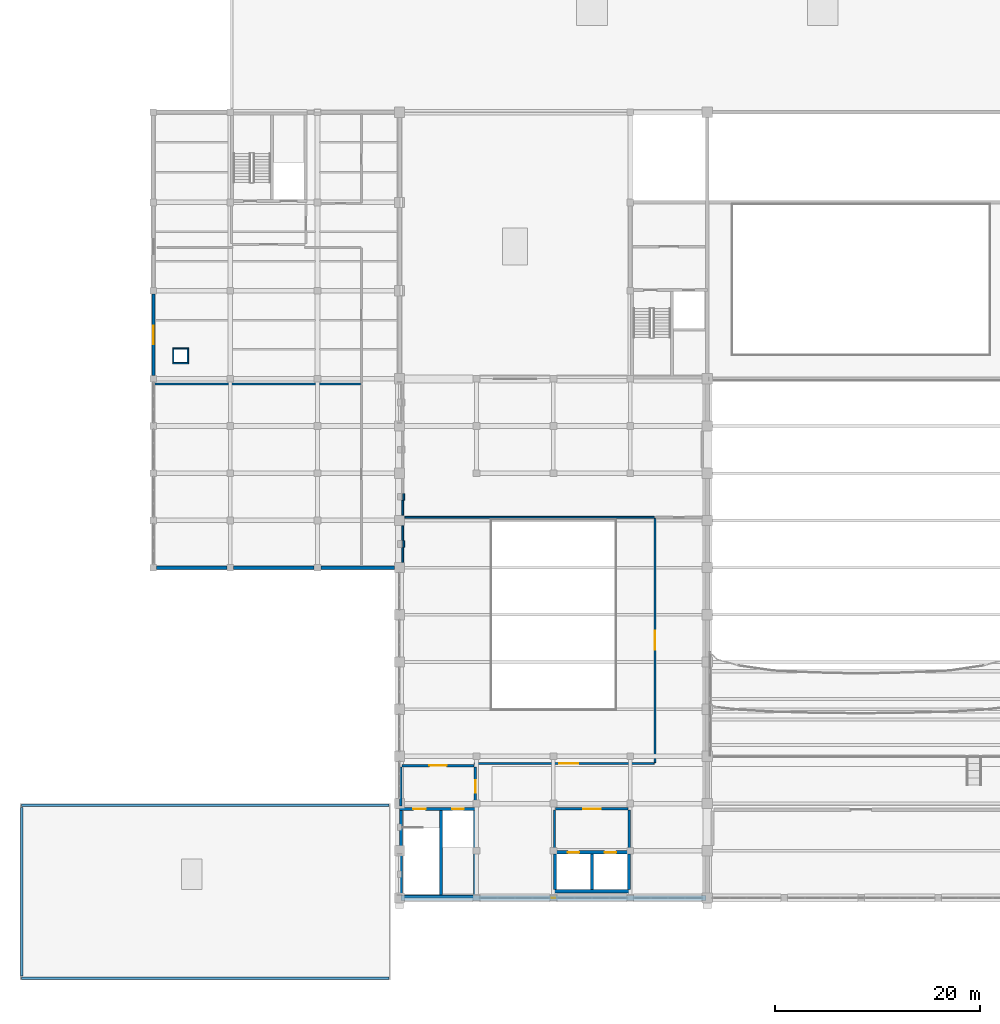
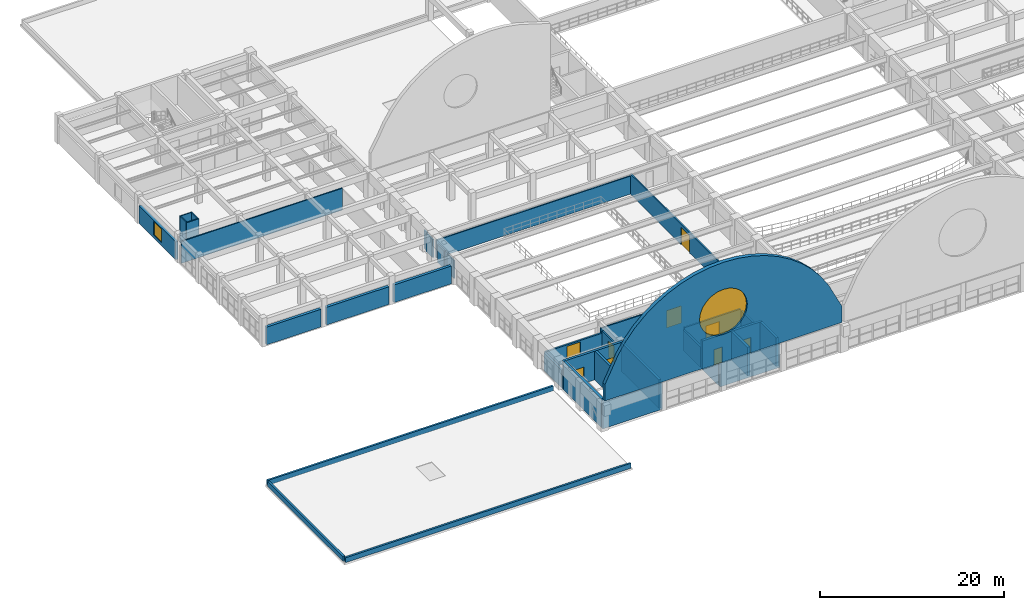
# One storey, part 55 of 74: 37 walls, 9 doors, 2 windows, 11 openings.
"""IFC4 building model written with IfcOpenShell, lengths in metres."""

from ifc_helpers import new_model, si_unit, direction, frame, frame_2d, origin, place, context, subcontext, project, spatial, polyline, rectangle, outline, extrude, material, layer, layer_set, type_object, element, fill, save


model = new_model("IFC4")

# Units and contexts
model_context = context("Model", 3, precision=1e-05, world=origin(), true_north=direction((0.0, 1.0)))
body_context = subcontext(model_context, "Body", "Model", "MODEL_VIEW")
ifc_project = project(units=[si_unit("LENGTHUNIT", "METRE"), si_unit("AREAUNIT", "SQUARE_METRE"), si_unit("VOLUMEUNIT", "CUBIC_METRE"), si_unit("PLANEANGLEUNIT", "RADIAN"), si_unit("MASSUNIT", "GRAM", prefix="KILO")], contexts=[model_context])

# Site, building, storey
site_placement = place(None, origin())
site = spatial("IfcSite", under=ifc_project, at=site_placement, CompositionType="ELEMENT")
building_placement = place(site_placement, origin())
building = spatial("IfcBuilding", under=site, at=building_placement, Name="Muzn Square Opera House", CompositionType="ELEMENT")
storey_placement = place(building_placement, frame((0.0, 0.0, 14.199951171875)))
storey = spatial("IfcBuildingStorey", under=building, at=storey_placement, Name="L03", CompositionType="ELEMENT", Elevation=14.199951171875)

# Walls
ifc_material_1 = material(Name="Concrete C45/55", Category="concrete")
ifc_layer_1 = layer(ifc_material_1, 0.300048828125, Name="Concrete C45/55", Category="concrete")
ifc_layer_set_1 = layer_set([ifc_layer_1], Name="Concrete C45/55")
wall_type_1 = type_object("IfcWallType", Name="Core Shear Wall 300mm", PredefinedType="SHEAR", material=ifc_layer_set_1)
wall_1_placement = place(storey_placement, frame((43.0, 22.14990234375, 0.0), z_axis=(0.0, 0.0, 1.0), x_axis=(1.0, 0.0, 0.0)))
element("IfcWall", 1, at=wall_1_placement, inside=storey, type_object=wall_type_1, Name="Core C3 Shear Wall SW-C3-L03-S", PredefinedType="SHEAR", context=body_context, shape_type="SweptSolid", body=[
    extrude(rectangle(XDim=7.5, YDim=0.300048828125, at=frame_2d((3.75, 0.0))), origin(), (0.0, 0.0, 1.0), 3.800048828125),
])
for number, where, z_axis, x_axis, name in (
    (2, (43.14990234375, 22.300048828125, 0.0), (0.0, 0.0, 1.0), (0.0, 1.0, 0.0), "Core C3 Shear Wall SW-C3-L03-W"),
    (3, (50.35009765625, 22.300048828125, 0.0), (0.0, 0.0, 1.0), (0.0, 1.0, 0.0), "Core C3 Shear Wall SW-C3-L03-E"),
    (4, (47.050048828125, 22.300048828125, 0.0), (0.0, 0.0, 1.0), (0.0, 1.0, 0.0), "Core C3 Shear Wall SW-C3-L03-DIV"),
):
    element("IfcWall", number, at=place(storey_placement, frame(where, z_axis=z_axis, x_axis=x_axis)), inside=storey, type_object=wall_type_1, Name=name, PredefinedType="SHEAR", context=body_context, shape_type="SweptSolid", body=[
        extrude(rectangle(XDim=8.199951171875, YDim=0.300048828125, at=frame_2d((4.10009765625, 0.0))), origin(), (0.0, 0.0, 1.0), 3.800048828125),
    ])
wall_2_placement = place(storey_placement, frame((58.0, 22.64990234375, 0.0), z_axis=(0.0, 0.0, 1.0), x_axis=(1.0, 0.0, 0.0)))
element("IfcWall", 5, at=wall_2_placement, inside=storey, type_object=wall_type_1, Name="Lift Bank LBW Shear Wall SW-LBW-L03-S", PredefinedType="SHEAR", context=body_context, shape_type="SweptSolid", body=[
    extrude(rectangle(XDim=7.5, YDim=0.300048828125, at=frame_2d((3.75, 0.0))), origin(), (0.0, 0.0, 1.0), 3.800048828125),
])
for number, where, z_axis, x_axis, name in (
    (6, (58.14990234375, 22.800048828125, 0.0), (0.0, 0.0, 1.0), (0.0, 1.0, 0.0), "Lift Bank LBW Shear Wall SW-LBW-L03-W"),
    (7, (65.35009765625, 22.800048828125, 0.0), (0.0, 0.0, 1.0), (0.0, 1.0, 0.0), "Lift Bank LBW Shear Wall SW-LBW-L03-E"),
    (8, (61.75, 22.800048828125, 0.0), (0.0, 0.0, 1.0), (0.0, 1.0, 0.0), "Lift Bank LBW Shear Wall SW-LBW-L03-DIV"),
):
    element("IfcWall", number, at=place(storey_placement, frame(where, z_axis=z_axis, x_axis=x_axis)), inside=storey, type_object=wall_type_1, Name=name, PredefinedType="SHEAR", context=body_context, shape_type="SweptSolid", body=[
        extrude(rectangle(XDim=3.5, YDim=0.300048828125, at=frame_2d((1.75, 0.0))), origin(), (0.0, 0.0, 1.0), 3.800048828125),
    ])

# Wall, openings, doors
wall_3_placement = place(storey_placement, frame((43.0, 30.64990234375, 0.0), z_axis=(0.0, 0.0, 1.0), x_axis=(1.0, 0.0, 0.0)))
wall_3 = element("IfcWall", 9, at=wall_3_placement, inside=storey, type_object=wall_type_1, Name="Core C3 Front Shear Wall L03", PredefinedType="SHEAR", context=body_context, shape_type="SweptSolid", body=[
    extrude(rectangle(XDim=7.5, YDim=0.300048828125, at=frame_2d((3.75, 0.0))), origin(), (0.0, 0.0, 1.0), 3.800048828125),
])
opening_1_placement = place(wall_3_placement, frame((1.35009765625, 0.0, 0.0)))
opening_1 = element("IfcOpeningElement", 10, at=opening_1_placement, cuts=wall_3, Name="Opening DR-ST12", PredefinedType="OPENING", context=body_context, shape_type="SweptSolid", body=[
    extrude(rectangle(XDim=1.199951171875, YDim=2.14990234375, at=frame_2d((0.60009765625, 1.074951171875))), frame((0.0, 0.159912109375, 0.0), z_axis=(0.0, -1.0, 0.0), x_axis=(1.0, 0.0, 0.0)), (0.0, 0.0, 1.0), 0.320068359375),
])
opening_2_placement = place(wall_3_placement, frame((5.14990234375, 0.0, 0.0)))
opening_2 = element("IfcOpeningElement", 11, at=opening_2_placement, cuts=wall_3, Name="Opening LD-01", PredefinedType="OPENING", context=body_context, shape_type="SweptSolid", body=[
    extrude(rectangle(XDim=1.10009765625, YDim=2.14990234375, at=frame_2d((0.550048828125, 1.074951171875))), frame((0.0, 0.159912109375, 0.0), z_axis=(0.0, -1.0, 0.0), x_axis=(1.0, 0.0, 0.0)), (0.0, 0.0, 1.0), 0.320068359375),
])
ifc_material_2 = material(Name="Galvanised painted steel leaf", Category="metal")
door_type_1 = type_object("IfcDoorType", Name="Core Stair Fire Door 1200x2150", OperationType="NOTDEFINED", PredefinedType="DOOR", material=ifc_material_2)
door_1_placement = place(opening_1_placement, origin())
door_1 = element("IfcDoor", 12, at=door_1_placement, inside=storey, type_object=door_type_1, Name="Core C3 Stair Door L03", OperationType="SINGLE_SWING_LEFT", OverallHeight=2.14990234375, OverallWidth=1.199951171875, PredefinedType="DOOR", context=body_context, shape_type="SweptSolid", body=[
    extrude(rectangle(XDim=1.199951171875, YDim=2.14990234375, at=frame_2d((0.60009765625, 1.074951171875))), frame((0.0, 0.02490234375, 0.0), z_axis=(0.0, -1.0, 0.0), x_axis=(1.0, 0.0, 0.0)), (0.0, 0.0, 1.0), 0.050048828125),
])
fill(opening_1, door_1)
ifc_material_3 = material(Name="Brushed stainless steel", Category="metal")
door_type_2 = type_object("IfcDoorType", Name="Lift Landing Sliding Door 1100x2150", OperationType="SLIDING_TO_LEFT", PredefinedType="DOOR", material=ifc_material_3)
door_2_placement = place(opening_2_placement, origin())
door_2 = element("IfcDoor", 13, at=door_2_placement, inside=storey, type_object=door_type_2, Name="Lift PL-1 Sliding Landing Door L03", OperationType="SLIDING_TO_LEFT", OverallHeight=2.14990234375, OverallWidth=1.10009765625, PredefinedType="DOOR", context=body_context, shape_type="SweptSolid", body=[
    extrude(rectangle(XDim=1.10009765625, YDim=2.14990234375, at=frame_2d((0.550048828125, 1.074951171875))), frame((0.0, 0.02490234375, 0.0), z_axis=(0.0, -1.0, 0.0), x_axis=(1.0, 0.0, 0.0)), (0.0, 0.0, 1.0), 0.050048828125),
])
fill(opening_2, door_2)

wall_4_placement = place(storey_placement, frame((58.0, 26.449951171875, 0.0), z_axis=(0.0, 0.0, 1.0), x_axis=(1.0, 0.0, 0.0)))
wall_4 = element("IfcWall", 14, at=wall_4_placement, inside=storey, type_object=wall_type_1, Name="Lift Bank LBW Front Wall L03", PredefinedType="SHEAR", context=body_context, shape_type="SweptSolid", body=[
    extrude(rectangle(XDim=7.5, YDim=0.300048828125, at=frame_2d((3.75, 0.0))), origin(), (0.0, 0.0, 1.0), 3.800048828125),
])
opening_3_placement = place(wall_4_placement, frame((1.39990234375, 0.0, 0.0)))
opening_3 = element("IfcOpeningElement", 15, at=opening_3_placement, cuts=wall_4, Name="Opening LD-01", PredefinedType="OPENING", context=body_context, shape_type="SweptSolid", body=[
    extrude(rectangle(XDim=1.10009765625, YDim=2.14990234375, at=frame_2d((0.550048828125, 1.074951171875))), frame((0.0, 0.159912109375, 0.0), z_axis=(0.0, -1.0, 0.0), x_axis=(1.0, 0.0, 0.0)), (0.0, 0.0, 1.0), 0.320068359375),
])
opening_4_placement = place(wall_4_placement, frame((5.0, 0.0, 0.0)))
opening_4 = element("IfcOpeningElement", 16, at=opening_4_placement, cuts=wall_4, Name="Opening LD-01", PredefinedType="OPENING", context=body_context, shape_type="SweptSolid", body=[
    extrude(rectangle(XDim=1.10009765625, YDim=2.14990234375, at=frame_2d((0.550048828125, 1.074951171875))), frame((0.0, 0.159912109375, 0.0), z_axis=(0.0, -1.0, 0.0), x_axis=(1.0, 0.0, 0.0)), (0.0, 0.0, 1.0), 0.320068359375),
])
door_3_placement = place(opening_3_placement, origin())
door_3 = element("IfcDoor", 17, at=door_3_placement, inside=storey, type_object=door_type_2, Name="Lift PL-2 Sliding Landing Door L03", OperationType="SLIDING_TO_LEFT", OverallHeight=2.14990234375, OverallWidth=1.10009765625, PredefinedType="DOOR", context=body_context, shape_type="SweptSolid", body=[
    extrude(rectangle(XDim=1.10009765625, YDim=2.14990234375, at=frame_2d((0.550048828125, 1.074951171875))), frame((0.0, 0.02490234375, 0.0), z_axis=(0.0, -1.0, 0.0), x_axis=(1.0, 0.0, 0.0)), (0.0, 0.0, 1.0), 0.050048828125),
])
fill(opening_3, door_3)
door_4_placement = place(opening_4_placement, origin())
door_4 = element("IfcDoor", 18, at=door_4_placement, inside=storey, type_object=door_type_2, Name="Lift PL-6 Sliding Landing Door L03", OperationType="SLIDING_TO_LEFT", OverallHeight=2.14990234375, OverallWidth=1.10009765625, PredefinedType="DOOR", context=body_context, shape_type="SweptSolid", body=[
    extrude(rectangle(XDim=1.10009765625, YDim=2.14990234375, at=frame_2d((0.550048828125, 1.074951171875))), frame((0.0, 0.02490234375, 0.0), z_axis=(0.0, -1.0, 0.0), x_axis=(1.0, 0.0, 0.0)), (0.0, 0.0, 1.0), 0.050048828125),
])
fill(opening_4, door_4)

# Wall, opening, window
ifc_material_4 = material(Name="Concrete C40/50", Category="concrete")
ifc_layer_2 = layer(ifc_material_4, 0.31005859375, Name="Concrete C40/50", Category="concrete")
ifc_layer_set_2 = layer_set([ifc_layer_2], Name="Concrete C40/50")
wall_type_2 = type_object("IfcWallType", Name="Exterior Gallery Facade Wall 310mm", PredefinedType="SOLIDWALL", material=ifc_layer_set_2)
wall_5_placement = place(storey_placement, frame((19.0, 72.925048828125, 0.0), z_axis=(0.0, 0.0, 1.0), x_axis=(0.0, 1.0, 0.0)))
wall_5 = element("IfcWall", 19, at=wall_5_placement, inside=storey, type_object=wall_type_2, Name="Exterior Facade Wall EW-L03-083", PredefinedType="SOLIDWALL", context=body_context, shape_type="SweptSolid", body=[
    extrude(rectangle(XDim=7.949951171875, YDim=0.31005859375, at=frame_2d((3.97509765625, 0.0))), origin(), (0.0, 0.0, 1.0), 2.35009765625),
])
opening_5_placement = place(wall_5_placement, frame((3.054931640625, 0.0, 0.3701171875)))
opening_5 = element("IfcOpeningElement", 20, at=opening_5_placement, cuts=wall_5, Name="Opening WN-O1818", PredefinedType="OPENING", context=body_context, shape_type="SweptSolid", body=[
    extrude(rectangle(XDim=1.800048828125, YDim=1.800048828125, at=frame_2d((0.89990234375, 0.89990234375))), frame((0.0, 0.1650390625, 0.0), z_axis=(0.0, -1.0, 0.0), x_axis=(1.0, 0.0, 0.0)), (0.0, 0.0, 1.0), 0.330078125),
])
ifc_material_5 = material(Name="Low-E laminated acoustic double glazing", Category="glass")
window_type_1 = type_object("IfcWindowType", Name="Admin Office Window 1800x1800", PartitioningType="DOUBLE_PANEL_VERTICAL", PredefinedType="WINDOW", material=ifc_material_5)
window_1_placement = place(opening_5_placement, origin())
window_1 = element("IfcWindow", 21, at=window_1_placement, inside=storey, type_object=window_type_1, Name="Admin Office Window 1800x1800 EW-L03-083-WN01", OverallHeight=1.800048828125, OverallWidth=1.800048828125, PartitioningType="SINGLE_PANEL", PredefinedType="WINDOW", context=body_context, shape_type="SweptSolid", body=[
    extrude(rectangle(XDim=1.800048828125, YDim=1.800048828125, at=frame_2d((0.89990234375, 0.89990234375))), frame((0.0, 0.030029296875, 0.0), z_axis=(0.0, -1.0, 0.0), x_axis=(1.0, 0.0, 0.0)), (0.0, 0.0, 1.0), 0.06005859375),
])
fill(opening_5, window_1)

# Walls
ifc_layer_3 = layer(ifc_material_4, 0.340087890625, Name="Concrete C40/50", Category="concrete")
ifc_layer_set_3 = layer_set([ifc_layer_3], Name="Concrete C40/50")
wall_type_3 = type_object("IfcWallType", Name="Exterior Insulated Spandrel Wall 340mm", PredefinedType="SOLIDWALL", material=ifc_layer_set_3)
wall_6_placement = place(storey_placement, frame((19.324951171875, 54.199951171875, 0.0), z_axis=(0.0, 0.0, 1.0), x_axis=(1.0, 0.0, 0.0)))
element("IfcWall", 22, at=wall_6_placement, inside=storey, type_object=wall_type_3, Name="Exterior Facade Wall EW-L03-219", PredefinedType="SOLIDWALL", context=body_context, shape_type="SweptSolid", body=[
    extrude(rectangle(XDim=6.85009765625, YDim=0.340087890625, at=frame_2d((3.425048828125, 0.0))), origin(), (0.0, 0.0, 1.0), 2.35009765625),
])
wall_7_placement = place(storey_placement, frame((26.824951171875, 54.199951171875, 0.0), z_axis=(0.0, 0.0, 1.0), x_axis=(1.0, 0.0, 0.0)))
element("IfcWall", 23, at=wall_7_placement, inside=storey, type_object=wall_type_3, Name="Exterior Facade Wall EW-L03-220", PredefinedType="SOLIDWALL", context=body_context, shape_type="SweptSolid", body=[
    extrude(rectangle(XDim=7.85009765625, YDim=0.340087890625, at=frame_2d((3.925048828125, 0.0))), origin(), (0.0, 0.0, 1.0), 2.35009765625),
])
wall_8_placement = place(storey_placement, frame((35.324951171875, 54.199951171875, 0.0), z_axis=(0.0, 0.0, 1.0), x_axis=(1.0, 0.0, 0.0)))
element("IfcWall", 24, at=wall_8_placement, inside=storey, type_object=wall_type_3, Name="Exterior Facade Wall EW-L03-221", PredefinedType="SOLIDWALL", context=body_context, shape_type="SweptSolid", body=[
    extrude(rectangle(XDim=7.175048828125, YDim=0.340087890625, at=frame_2d((3.58740234375, 0.0))), origin(), (0.0, 0.0, 1.0), 2.35009765625),
])
ifc_material_6 = material(Name="Acoustic gypsum stud partition", Category="gypsum")
ifc_layer_4 = layer(ifc_material_6, 0.169921875, Name="Acoustic gypsum stud partition", Category="gypsum")
ifc_layer_set_4 = layer_set([ifc_layer_4], Name="Acoustic gypsum stud partition")
wall_type_4 = type_object("IfcWallType", Name="Gallery Partition 170mm", PredefinedType="PARTITIONING", material=ifc_layer_set_4)
wall_9_placement = place(storey_placement, frame((43.300048828125, 59.320068359375, 0.0), z_axis=(0.0, 0.0, 1.0), x_axis=(0.0, 1.0, 0.0)))
element("IfcWall", 25, at=wall_9_placement, inside=storey, type_object=wall_type_4, Name="Interior Partition PW-L03-0342", PredefinedType="PARTITIONING", context=body_context, shape_type="SweptSolid", body=[
    extrude(rectangle(XDim=1.434814453125, YDim=0.169921875, at=frame_2d((0.71728515625, 0.0))), origin(), (0.0, 0.0, 1.0), 2.380126953125),
])

# Wall, opening, door
wall_10_placement = place(storey_placement, frame((50.284912109375, 35.10009765625, 0.0), z_axis=(0.0, 0.0, 1.0), x_axis=(1.0, 0.0, 0.0)))
wall_10 = element("IfcWall", 26, at=wall_10_placement, inside=storey, type_object=wall_type_4, Name="Interior Partition PW-L03-0350", PredefinedType="PARTITIONING", context=body_context, shape_type="SweptSolid", body=[
    extrude(rectangle(XDim=17.525146484375, YDim=0.169921875, at=frame_2d((8.7626953125, 0.0))), origin(), (0.0, 0.0, 1.0), 2.900146484375),
])
opening_6_placement = place(wall_10_placement, frame((8.264892578125, 0.0, 0.0)))
opening_6 = element("IfcOpeningElement", 27, at=opening_6_placement, cuts=wall_10, Name="Opening DR-EG18", PredefinedType="OPENING", context=body_context, shape_type="SweptSolid", body=[
    extrude(rectangle(XDim=1.85009765625, YDim=2.300048828125, at=frame_2d((0.925048828125, 1.14990234375))), frame((0.0, 0.094970703125, 0.0), z_axis=(0.0, -1.0, 0.0), x_axis=(1.0, 0.0, 0.0)), (0.0, 0.0, 1.0), 0.18994140625),
])
ifc_material_7 = material(Name="Acoustic hardwood leaf", Category="wood")
door_type_3 = type_object("IfcDoorType", Name="Exhibition Gallery Pair 1850x2300", OperationType="DOUBLE_DOOR_SINGLE_SWING", PredefinedType="DOOR", material=ifc_material_7)
door_5_placement = place(opening_6_placement, origin())
door_5 = element("IfcDoor", 28, at=door_5_placement, inside=storey, type_object=door_type_3, Name="Patron Opera Library and Reading Salon Door DR-L03-0099", OperationType="DOUBLE_DOOR_SINGLE_SWING", OverallHeight=2.300048828125, OverallWidth=1.85009765625, PredefinedType="DOOR", context=body_context, shape_type="SweptSolid", body=[
    extrude(rectangle(XDim=1.85009765625, YDim=2.300048828125, at=frame_2d((0.925048828125, 1.14990234375))), frame((0.0, 0.02490234375, 0.0), z_axis=(0.0, -1.0, 0.0), x_axis=(1.0, 0.0, 0.0)), (0.0, 0.0, 1.0), 0.050048828125),
])
fill(opening_6, door_5)

wall_11_placement = place(storey_placement, frame((67.89990234375, 35.18994140625, 0.0), z_axis=(0.0, 0.0, 1.0), x_axis=(0.0, 1.0, 0.0)))
wall_11 = element("IfcWall", 29, at=wall_11_placement, inside=storey, type_object=wall_type_4, Name="Interior Partition PW-L03-0351", PredefinedType="PARTITIONING", context=body_context, shape_type="SweptSolid", body=[
    extrude(rectangle(XDim=23.820068359375, YDim=0.169921875, at=frame_2d((11.91015625, 0.0))), origin(), (0.0, 0.0, 1.0), 2.699951171875),
])
opening_7_placement = place(wall_11_placement, frame((10.985107421875, 0.0, 0.0)))
opening_7 = element("IfcOpeningElement", 30, at=opening_7_placement, cuts=wall_11, Name="Opening DR-EG18", PredefinedType="OPENING", context=body_context, shape_type="SweptSolid", body=[
    extrude(rectangle(XDim=1.85009765625, YDim=2.300048828125, at=frame_2d((0.925048828125, 1.14990234375))), frame((0.0, 0.094970703125, 0.0), z_axis=(0.0, -1.0, 0.0), x_axis=(1.0, 0.0, 0.0)), (0.0, 0.0, 1.0), 0.18994140625),
])
door_6_placement = place(opening_7_placement, origin())
door_6 = element("IfcDoor", 31, at=door_6_placement, inside=storey, type_object=door_type_3, Name="Patron Opera Library and Reading Salon Door DR-L03-0100", OperationType="DOUBLE_DOOR_SINGLE_SWING", OverallHeight=2.300048828125, OverallWidth=1.85009765625, PredefinedType="DOOR", context=body_context, shape_type="SweptSolid", body=[
    extrude(rectangle(XDim=1.85009765625, YDim=2.300048828125, at=frame_2d((0.925048828125, 1.14990234375))), frame((0.0, 0.02490234375, 0.0), z_axis=(0.0, -1.0, 0.0), x_axis=(1.0, 0.0, 0.0)), (0.0, 0.0, 1.0), 0.050048828125),
])
fill(opening_7, door_6)

# Walls
for number, where, z_axis, x_axis, name in (
    (32, (43.300048828125, 54.719970703125, 0.0), (0.0, 0.0, 1.0), (0.0, 1.0, 0.0), "Interior Partition PW-L03-0352"),
    (33, (43.300048828125, 56.844970703125, 0.0), (0.0, 0.0, 1.0), (0.0, 1.0, 0.0), "Interior Partition PW-L03-0353"),
):
    element("IfcWall", number, at=place(storey_placement, frame(where, z_axis=z_axis, x_axis=x_axis)), inside=storey, type_object=wall_type_4, Name=name, PredefinedType="PARTITIONING", context=body_context, shape_type="SweptSolid", body=[
        extrude(rectangle(XDim=1.43505859375, YDim=0.169921875, at=frame_2d((0.717529296875, 0.0))), origin(), (0.0, 0.0, 1.0), 2.380126953125),
    ])
wall_12_placement = place(storey_placement, frame((43.52001953125, 59.10009765625, 0.0), z_axis=(0.0, 0.0, 1.0), x_axis=(1.0, 0.0, 0.0)))
element("IfcWall", 34, at=wall_12_placement, inside=storey, type_object=wall_type_4, Name="Interior Partition PW-L03-0340", PredefinedType="PARTITIONING", context=body_context, shape_type="SweptSolid", body=[
    extrude(rectangle(XDim=24.31005859375, YDim=0.169921875, at=frame_2d((12.155029296875, 0.0))), origin(), (0.0, 0.0, 1.0), 2.380126953125),
])
wall_13_placement = place(storey_placement, frame((43.39990234375, 60.77490234375, 0.0), z_axis=(0.0, 0.0, 1.0), x_axis=(0.0, 1.0, 0.0)))
element("IfcWall", 35, at=wall_13_placement, inside=storey, type_object=wall_type_4, Name="Room Enclosure Partition PW-L03-0373", PredefinedType="PARTITIONING", context=body_context, shape_type="SweptSolid", body=[
    extrude(rectangle(XDim=0.650146484375, YDim=0.169921875, at=frame_2d((0.3251953125, 0.0))), origin(), (0.0, 0.0, 1.0), 2.380126953125),
])
wall_14_placement = place(storey_placement, frame((43.39990234375, 56.175048828125, 0.0), z_axis=(0.0, 0.0, 1.0), x_axis=(0.0, 1.0, 0.0)))
element("IfcWall", 36, at=wall_14_placement, inside=storey, type_object=wall_type_4, Name="Room Enclosure Partition PW-L03-0380", PredefinedType="PARTITIONING", context=body_context, shape_type="SweptSolid", body=[
    extrude(rectangle(XDim=0.64990234375, YDim=0.169921875, at=frame_2d((0.324951171875, 0.0))), origin(), (0.0, 0.0, 1.0), 2.380126953125),
])

# Wall, opening, door
ifc_layer_5 = layer(ifc_material_4, 0.219970703125, Name="Concrete C40/50", Category="concrete")
ifc_layer_set_5 = layer_set([ifc_layer_5], Name="Concrete C40/50")
wall_type_5 = type_object("IfcWallType", Name="Lift Lobby Wall 220mm", PredefinedType="SOLIDWALL", material=ifc_layer_set_5)
wall_15_placement = place(storey_placement, frame((43.219970703125, 34.889892578125, 0.0), z_axis=(0.0, 0.0, 1.0), x_axis=(1.0, 0.0, 0.0)))
wall_15 = element("IfcWall", 37, at=wall_15_placement, inside=storey, type_object=wall_type_5, Name="Lobby C3 Enclosure Wall L03", PredefinedType="SOLIDWALL", context=body_context, shape_type="SweptSolid", body=[
    extrude(rectangle(XDim=7.06005859375, YDim=0.219970703125, at=frame_2d((3.530029296875, 0.0))), origin(), (0.0, 0.0, 1.0), 2.380126953125),
])
opening_8_placement = place(wall_15_placement, frame((2.679931640625, 0.0, 0.0)))
opening_8 = element("IfcOpeningElement", 38, at=opening_8_placement, cuts=wall_15, Name="Opening DR-LL17", PredefinedType="OPENING", context=body_context, shape_type="SweptSolid", body=[
    extrude(rectangle(XDim=1.699951171875, YDim=2.179931640625, at=frame_2d((0.85009765625, 1.08984375))), frame((0.0, 0.119873046875, 0.0), z_axis=(0.0, -1.0, 0.0), x_axis=(1.0, 0.0, 0.0)), (0.0, 0.0, 1.0), 0.239990234375),
])
door_type_4 = type_object("IfcDoorType", Name="Lift Lobby Double Door 1700x2180", OperationType="DOUBLE_DOOR_SINGLE_SWING", PredefinedType="DOOR", material=ifc_material_7)
door_7_placement = place(opening_8_placement, origin())
door_7 = element("IfcDoor", 39, at=door_7_placement, inside=storey, type_object=door_type_4, Name="Lobby C3 Fire Door L03", OperationType="DOUBLE_DOOR_SINGLE_SWING", OverallHeight=2.179931640625, OverallWidth=1.699951171875, PredefinedType="DOOR", context=body_context, shape_type="SweptSolid", body=[
    extrude(rectangle(XDim=1.699951171875, YDim=2.179931640625, at=frame_2d((0.85009765625, 1.08984375))), frame((0.0, 0.02490234375, 0.0), z_axis=(0.0, -1.0, 0.0), x_axis=(1.0, 0.0, 0.0)), (0.0, 0.0, 1.0), 0.050048828125),
])
fill(opening_8, door_7)

# Wall
wall_16_placement = place(storey_placement, frame((43.110107421875, 30.949951171875, 0.0), z_axis=(0.0, 0.0, 1.0), x_axis=(0.0, 1.0, 0.0)))
element("IfcWall", 40, at=wall_16_placement, inside=storey, type_object=wall_type_5, Name="Lobby C3 Side Wall W L03", PredefinedType="SOLIDWALL", context=body_context, shape_type="SweptSolid", body=[
    extrude(rectangle(XDim=3.830078125, YDim=0.219970703125, at=frame_2d((1.9150390625, 0.0))), origin(), (0.0, 0.0, 1.0), 2.380126953125),
])

# Wall, opening, door
wall_17_placement = place(storey_placement, frame((50.389892578125, 30.949951171875, 0.0), z_axis=(0.0, 0.0, 1.0), x_axis=(0.0, 1.0, 0.0)))
wall_17 = element("IfcWall", 41, at=wall_17_placement, inside=storey, type_object=wall_type_5, Name="Lobby C3 Side Wall E L03", PredefinedType="SOLIDWALL", context=body_context, shape_type="SweptSolid", body=[
    extrude(rectangle(XDim=3.830078125, YDim=0.219970703125, at=frame_2d((1.9150390625, 0.0))), origin(), (0.0, 0.0, 1.0), 2.699951171875),
])
opening_9_placement = place(wall_17_placement, frame((2.514892578125, 0.0, 0.0), z_axis=(0.0, 0.0, 1.0), x_axis=(-1.0, 0.0, 0.0)))
opening_9 = element("IfcOpeningElement", 42, at=opening_9_placement, cuts=wall_17, Name="Opening DR-ST12", PredefinedType="OPENING", context=body_context, shape_type="SweptSolid", body=[
    extrude(rectangle(XDim=1.199951171875, YDim=2.14990234375, at=frame_2d((0.60009765625, 1.074951171875))), frame((0.0, 0.119873046875, 0.0), z_axis=(0.0, -1.0, 0.0), x_axis=(1.0, 0.0, 0.0)), (0.0, 0.0, 1.0), 0.239990234375),
])
door_8_placement = place(opening_9_placement, origin())
door_8 = element("IfcDoor", 43, at=door_8_placement, inside=storey, type_object=door_type_1, Name="Lobby C3 Side Door E L03", OperationType="SINGLE_SWING_RIGHT", OverallHeight=2.14990234375, OverallWidth=1.199951171875, PredefinedType="DOOR", context=body_context, shape_type="SweptSolid", body=[
    extrude(rectangle(XDim=1.199951171875, YDim=2.14990234375, at=frame_2d((0.60009765625, 1.074951171875))), frame((0.0, 0.02490234375, 0.0), z_axis=(0.0, -1.0, 0.0), x_axis=(1.0, 0.0, 0.0)), (0.0, 0.0, 1.0), 0.050048828125),
])
fill(opening_9, door_8)

wall_18_placement = place(storey_placement, frame((58.219970703125, 30.68994140625, 0.0), z_axis=(0.0, 0.0, 1.0), x_axis=(1.0, 0.0, 0.0)))
wall_18 = element("IfcWall", 44, at=wall_18_placement, inside=storey, type_object=wall_type_5, Name="Lift Lobby LBW Wall L03", PredefinedType="SOLIDWALL", context=body_context, shape_type="SweptSolid", body=[
    extrude(rectangle(XDim=7.06005859375, YDim=0.219970703125, at=frame_2d((3.530029296875, 0.0))), origin(), (0.0, 0.0, 1.0), 2.900146484375),
])
opening_10_placement = place(wall_18_placement, frame((2.679931640625, 0.0, 0.0)))
opening_10 = element("IfcOpeningElement", 45, at=opening_10_placement, cuts=wall_18, Name="Opening DR-LL17", PredefinedType="OPENING", context=body_context, shape_type="SweptSolid", body=[
    extrude(rectangle(XDim=1.699951171875, YDim=2.179931640625, at=frame_2d((0.85009765625, 1.08984375))), frame((0.0, 0.119873046875, 0.0), z_axis=(0.0, -1.0, 0.0), x_axis=(1.0, 0.0, 0.0)), (0.0, 0.0, 1.0), 0.239990234375),
])
door_9_placement = place(opening_10_placement, origin())
door_9 = element("IfcDoor", 46, at=door_9_placement, inside=storey, type_object=door_type_4, Name="Lift Lobby LBW Door L03", OperationType="DOUBLE_DOOR_SINGLE_SWING", OverallHeight=2.179931640625, OverallWidth=1.699951171875, PredefinedType="DOOR", context=body_context, shape_type="SweptSolid", body=[
    extrude(rectangle(XDim=1.699951171875, YDim=2.179931640625, at=frame_2d((0.85009765625, 1.08984375))), frame((0.0, 0.02490234375, 0.0), z_axis=(0.0, -1.0, 0.0), x_axis=(1.0, 0.0, 0.0)), (0.0, 0.0, 1.0), 0.050048828125),
])
fill(opening_10, door_9)

# Walls
for number, where, z_axis, x_axis, name in (
    (47, (58.110107421875, 26.75, 0.0), (0.0, 0.0, 1.0), (0.0, 1.0, 0.0), "Lift Lobby LBW Side Wall W L03"),
    (48, (65.389892578125, 26.75, 0.0), (0.0, 0.0, 1.0), (0.0, 1.0, 0.0), "Lift Lobby LBW Side Wall E L03"),
):
    element("IfcWall", number, at=place(storey_placement, frame(where, z_axis=z_axis, x_axis=x_axis)), inside=storey, type_object=wall_type_5, Name=name, PredefinedType="SOLIDWALL", context=body_context, shape_type="SweptSolid", body=[
        extrude(rectangle(XDim=3.830078125, YDim=0.219970703125, at=frame_2d((1.9150390625, 0.0))), origin(), (0.0, 0.0, 1.0), 2.699951171875),
    ])
ifc_layer_6 = layer(ifc_material_6, 0.14990234375, Name="Acoustic gypsum stud partition", Category="gypsum")
ifc_layer_set_6 = layer_set([ifc_layer_6], Name="Acoustic gypsum stud partition")
wall_type_6 = type_object("IfcWallType", Name="Office Acoustic Partition 150mm", PredefinedType="PARTITIONING", material=ifc_layer_set_6)
wall_19_placement = place(storey_placement, frame((19.0849609375, 72.10009765625, 0.0), z_axis=(0.0, 0.0, 1.0), x_axis=(1.0, 0.0, 0.0)))
element("IfcWall", 49, at=wall_19_placement, inside=storey, type_object=wall_type_6, Name="Interior Partition PW-L03-0366", PredefinedType="PARTITIONING", context=body_context, shape_type="SweptSolid", body=[
    extrude(rectangle(XDim=20.135009765625, YDim=0.14990234375, at=frame_2d((10.0673828125, 0.0))), origin(), (0.0, 0.0, 1.0), 2.900146484375),
])
ifc_material_8 = material(Name="Precast concrete C40/50", Category="concrete")
ifc_layer_7 = layer(ifc_material_8, 0.239990234375, Name="Precast concrete C40/50", Category="concrete")
ifc_layer_set_7 = layer_set([ifc_layer_7], Name="Precast concrete C40/50")
wall_type_7 = type_object("IfcWallType", Name="Roof Parapet Wall 240mm", PredefinedType="PARAPET", material=ifc_layer_set_7)
for number, where, z_axis, x_axis, name in (
    (50, (6.14990234375, 14.14990234375, 0.0), (0.0, 0.0, 1.0), (1.0, 0.0, 0.0), "Roof Parapet ROOF-L03-WSOUTH-S"),
    (51, (6.14990234375, 31.050048828125, 0.0), (0.0, 0.0, 1.0), (1.0, 0.0, 0.0), "Roof Parapet ROOF-L03-WSOUTH-N"),
):
    element("IfcWall", number, at=place(storey_placement, frame(where, z_axis=z_axis, x_axis=x_axis)), inside=storey, type_object=wall_type_7, Name=name, PredefinedType="PARAPET", context=body_context, shape_type="SweptSolid", body=[
        extrude(rectangle(XDim=35.800048828125, YDim=0.239990234375, at=frame_2d((17.89990234375, 0.0))), origin(), (0.0, 0.0, 1.0), 0.650146484375),
    ])
wall_20_placement = place(storey_placement, frame((6.14990234375, 14.39990234375, 0.0), z_axis=(0.0, 0.0, 1.0), x_axis=(0.0, 1.0, 0.0)))
element("IfcWall", 52, at=wall_20_placement, inside=storey, type_object=wall_type_7, Name="Roof Parapet ROOF-L03-WSOUTH-W", PredefinedType="PARAPET", context=body_context, shape_type="SweptSolid", body=[
    extrude(rectangle(XDim=16.400146484375, YDim=0.239990234375, at=frame_2d((8.2001953125, 0.0))), origin(), (0.0, 0.0, 1.0), 0.650146484375),
])

# Wall, opening, window
ifc_layer_8 = layer(ifc_material_8, 0.4599609375, Name="Precast concrete C40/50", Category="concrete")
ifc_layer_set_8 = layer_set([ifc_layer_8], Name="Precast concrete C40/50")
wall_type_8 = type_object("IfcWallType", Name="Semicircular Pale Render Gable Wall 460mm", PredefinedType="SOLIDWALL", material=ifc_layer_set_8)
wall_21_placement = place(storey_placement, frame((43.139892578125, 22.0, 3.800048828125), z_axis=(0.0, 0.0, 1.0), x_axis=(1.0, 0.0, 0.0)))
wall_21 = element("IfcWall", 53, at=wall_21_placement, inside=storey, type_object=wall_type_8, Name="South Semicircular Pale Render Gable West Salon Barrel Vault", PredefinedType="SOLIDWALL", context=body_context, shape_type="SweptSolid", body=[
    extrude(outline(polyline([(0.0, 0.0), (29.72021484375, 0.0), (29.719970703125, 2.177490234375), (28.876953125, 3.859375), (28.09228515625, 5.460205078125), (27.125244140625, 6.958251953125), (25.989501953125, 8.332763671875), (24.70068359375, 9.564697265625), (23.276611328125, 10.637451171875), (21.736572265625, 11.535888671875), (20.10205078125, 12.247802734375), (18.395263671875, 12.763427734375), (16.639892578125, 13.07568359375), (14.860107421875, 13.179931640625), (13.080078125, 13.07568359375), (11.32470703125, 12.763427734375), (9.617919921875, 12.247802734375), (7.9833984375, 11.535888671875), (6.443359375, 10.637451171875), (5.019287109375, 9.564697265625), (3.73046875, 8.332763671875), (2.5947265625, 6.958251953125), (1.627685546875, 5.460205078125), (0.843017578125, 3.859375), (0.0, 2.177490234375), (0.0, 0.0)])), frame((0.0, 0.22998046875, 0.0), z_axis=(0.0, -1.0, 0.0), x_axis=(1.0, 0.0, 0.0)), (0.0, 0.0, 1.0), 0.4599609375),
])
opening_11_placement = place(wall_21_placement, frame((11.860107421875, 0.0, 3.60009765625)))
opening_11 = element("IfcOpeningElement", 54, at=opening_11_placement, cuts=wall_21, Name="Opening WN-OC60", PredefinedType="OPENING", context=body_context, shape_type="SweptSolid", body=[
    extrude(outline(polyline([(6.0, 3.0), (5.897705078125, 3.7763671875), (5.59814453125, 4.5), (5.121337890625, 5.121337890625), (4.5, 5.59814453125), (3.7763671875, 5.897705078125), (3.0, 6.0), (2.2236328125, 5.897705078125), (1.5, 5.59814453125), (0.878662109375, 5.121337890625), (0.40185546875, 4.5), (0.102294921875, 3.7763671875), (0.0, 3.0), (0.102294921875, 2.2236328125), (0.40185546875, 1.5), (0.878662109375, 0.878662109375), (1.5, 0.40185546875), (2.2236328125, 0.102294921875), (3.0, 0.0), (3.7763671875, 0.102294921875), (4.5, 0.40185546875), (5.121337890625, 0.878662109375), (5.59814453125, 1.5), (5.897705078125, 2.2236328125), (6.0, 3.0)])), frame((0.0, 0.239990234375, 0.0), z_axis=(0.0, -1.0, 0.0), x_axis=(1.0, 0.0, 0.0)), (0.0, 0.0, 1.0), 0.47998046875),
])
window_type_2 = type_object("IfcWindowType", Name="Round Oculus Window D6000", PartitioningType="TRIPLE_PANEL_HORIZONTAL", PredefinedType="WINDOW", material=ifc_material_5)
window_2_placement = place(opening_11_placement, origin())
window_2 = element("IfcWindow", 55, at=window_2_placement, inside=storey, type_object=window_type_2, Name="South Gable Round Oculus Window V1", OverallHeight=6.0, OverallWidth=6.0, PartitioningType="SINGLE_PANEL", PredefinedType="WINDOW", context=body_context, shape_type="SweptSolid", body=[
    extrude(outline(polyline([(6.0, 3.0), (5.897705078125, 3.7763671875), (5.59814453125, 4.5), (5.121337890625, 5.121337890625), (4.5, 5.59814453125), (3.7763671875, 5.897705078125), (3.0, 6.0), (2.2236328125, 5.897705078125), (1.5, 5.59814453125), (0.878662109375, 5.121337890625), (0.40185546875, 4.5), (0.102294921875, 3.7763671875), (0.0, 3.0), (0.102294921875, 2.2236328125), (0.40185546875, 1.5), (0.878662109375, 0.878662109375), (1.5, 0.40185546875), (2.2236328125, 0.102294921875), (3.0, 0.0), (3.7763671875, 0.102294921875), (4.5, 0.40185546875), (5.121337890625, 0.878662109375), (5.59814453125, 1.5), (5.897705078125, 2.2236328125), (6.0, 3.0)])), frame((0.0, 0.030029296875, 0.0), z_axis=(0.0, -1.0, 0.0), x_axis=(1.0, 0.0, 0.0)), (0.0, 0.0, 1.0), 0.06005859375),
])
fill(opening_11, window_2)

# Walls
ifc_layer_9 = layer(ifc_material_6, 0.1298828125, Name="Acoustic gypsum stud partition", Category="gypsum")
ifc_layer_set_9 = layer_set([ifc_layer_9], Name="Acoustic gypsum stud partition")
wall_type_9 = type_object("IfcWallType", Name="Service Closet Partition 130mm", PredefinedType="PARTITIONING", material=ifc_layer_set_9)
for number, where, z_axis, x_axis, name in (
    (56, (20.8701171875, 74.135009765625, 0.0), (0.0, 0.0, 1.0), (1.0, 0.0, 0.0), "MEP Riser Shaft Wall RSR-WC L03-S"),
    (57, (20.8701171875, 75.56494140625, 0.0), (0.0, 0.0, 1.0), (1.0, 0.0, 0.0), "MEP Riser Shaft Wall RSR-WC L03-N"),
):
    element("IfcWall", number, at=place(storey_placement, frame(where, z_axis=z_axis, x_axis=x_axis)), inside=storey, type_object=wall_type_9, Name=name, PredefinedType="PARTITIONING", context=body_context, shape_type="SweptSolid", body=[
        extrude(rectangle(XDim=1.559814453125, YDim=0.1298828125, at=frame_2d((0.77978515625, 0.0))), origin(), (0.0, 0.0, 1.0), 3.5),
    ])
for number, where, z_axis, x_axis, name in (
    (58, (20.93505859375, 74.199951171875, 0.0), (0.0, 0.0, 1.0), (0.0, 1.0, 0.0), "MEP Riser Shaft Wall RSR-WC L03-W"),
    (59, (22.364990234375, 74.199951171875, 0.0), (0.0, 0.0, 1.0), (0.0, 1.0, 0.0), "MEP Riser Shaft Wall RSR-WC L03-E"),
):
    element("IfcWall", number, at=place(storey_placement, frame(where, z_axis=z_axis, x_axis=x_axis)), inside=storey, type_object=wall_type_9, Name=name, PredefinedType="PARTITIONING", context=body_context, shape_type="SweptSolid", body=[
        extrude(rectangle(XDim=1.300048828125, YDim=0.1298828125, at=frame_2d((0.64990234375, 0.0))), origin(), (0.0, 0.0, 1.0), 3.5),
    ])

save(model, "model.ifc")
